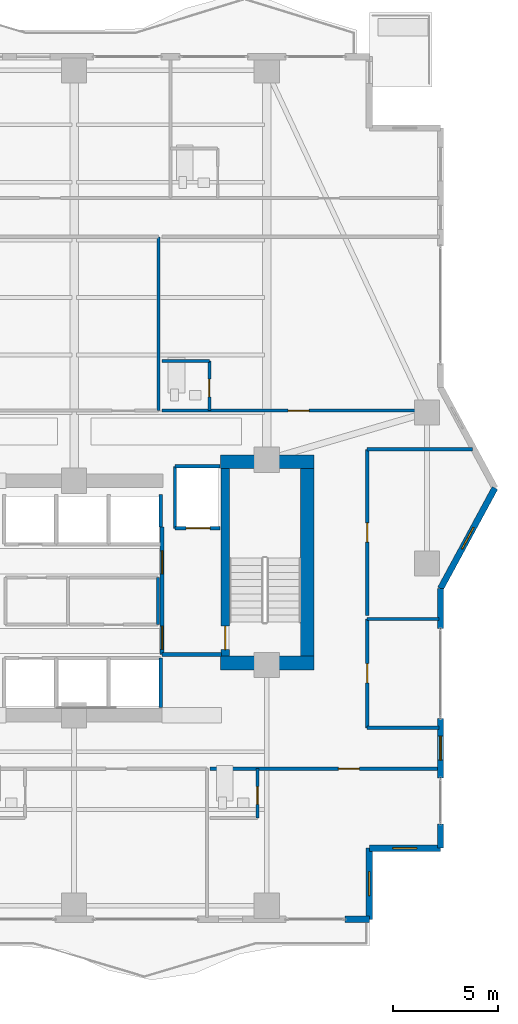
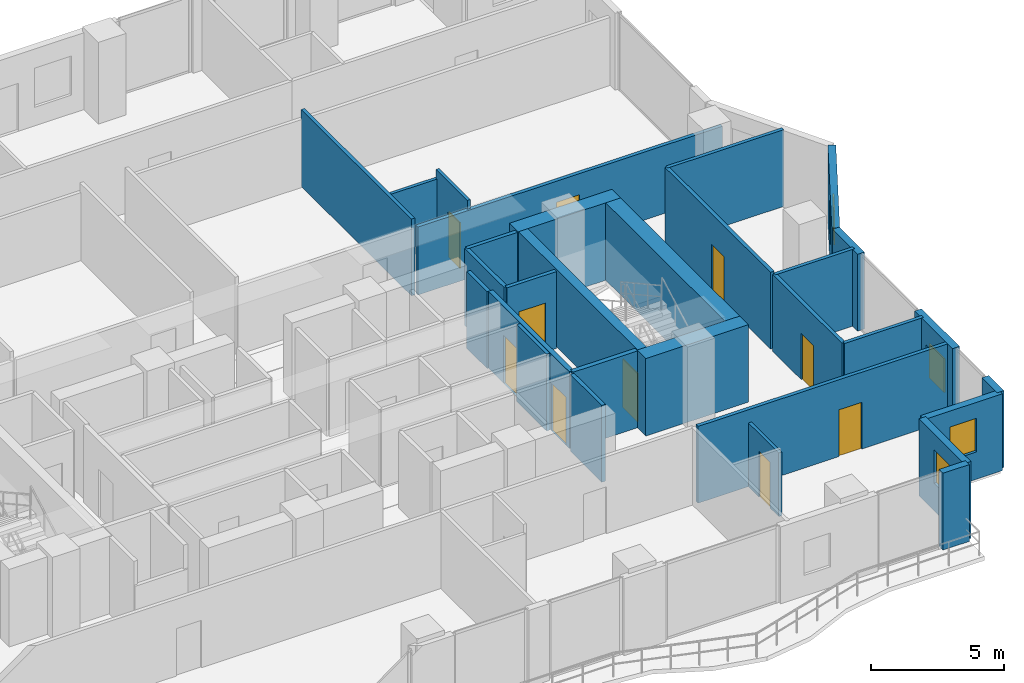
# One storey, part 27 of 33: 30 walls, 10 doors, 4 windows, 14 openings.
"""IFC4 building model written with IfcOpenShell, lengths in metres."""

from ifc_helpers import new_model, si_unit, direction, frame, frame_2d, origin, place, context, subcontext, project, spatial, rectangle, extrude, material, layer, layer_set, type_object, element, fill, save


model = new_model("IFC4")

# Units and contexts
model_context = context("Model", 3, precision=1e-05, world=origin(), true_north=direction((0.0, 1.0)))
body_context = subcontext(model_context, "Body", "Model", "MODEL_VIEW")
ifc_project = project(units=[si_unit("LENGTHUNIT", "METRE"), si_unit("AREAUNIT", "SQUARE_METRE"), si_unit("VOLUMEUNIT", "CUBIC_METRE"), si_unit("PLANEANGLEUNIT", "RADIAN"), si_unit("MASSUNIT", "GRAM", prefix="KILO")], contexts=[model_context])

# Site, building, storey
site_placement = place(None, origin())
site = spatial("IfcSite", under=ifc_project, at=site_placement, CompositionType="ELEMENT")
building_placement = place(site_placement, origin())
building = spatial("IfcBuilding", under=site, at=building_placement, Name="Zuhayl Quay Hotel", CompositionType="ELEMENT")
storey_placement = place(building_placement, frame((0.0, 0.0, 214.89990234375)))
storey = spatial("IfcBuildingStorey", under=building, at=storey_placement, Name="L54", CompositionType="ELEMENT", Elevation=214.89990234375)

# Walls
ifc_material_1 = material(Name="Concrete C50/60", Category="concrete")
ifc_layer_1 = layer(ifc_material_1, 0.64990234375, Name="Concrete C50/60", Category="concrete")
ifc_layer_set_1 = layer_set([ifc_layer_1], Name="Concrete C50/60")
wall_type_1 = type_object("IfcWallType", Name="WL_CORE_650", PredefinedType="SHEAR", material=ifc_layer_set_1)
wall_1_placement = place(storey_placement, frame((11.60009765625, 14.2548828125, 0.0), z_axis=(0.0, 0.0, 1.0), x_axis=(1.0, 0.0, 0.0)))
element("IfcWall", 1, at=wall_1_placement, inside=storey, type_object=wall_type_1, Name="L54 Core Shear Wall CW_NE", PredefinedType="SHEAR", context=body_context, shape_type="SweptSolid", body=[
    extrude(rectangle(XDim=4.4599609375, YDim=0.64990234375, at=frame_2d((2.22998046875, 0.0))), origin(), (0.0, 0.0, 1.0), 3.56005859375),
])
wall_2_placement = place(storey_placement, frame((15.735107421875, 4.969970703125, 0.0), z_axis=(0.0, 0.0, 1.0), x_axis=(0.0, 1.0, 0.0)))
element("IfcWall", 2, at=wall_2_placement, inside=storey, type_object=wall_type_1, Name="L54 Core Shear Wall CW_E", PredefinedType="SHEAR", context=body_context, shape_type="SweptSolid", body=[
    extrude(rectangle(XDim=8.9599609375, YDim=0.64990234375, at=frame_2d((4.47998046875, 0.0))), origin(), (0.0, 0.0, 1.0), 3.56005859375),
])
wall_3_placement = place(storey_placement, frame((11.60009765625, 4.64501953125, 0.0), z_axis=(0.0, 0.0, 1.0), x_axis=(1.0, 0.0, 0.0)))
element("IfcWall", 3, at=wall_3_placement, inside=storey, type_object=wall_type_1, Name="L54 Core Shear Wall CW_SE", PredefinedType="SHEAR", context=body_context, shape_type="SweptSolid", body=[
    extrude(rectangle(XDim=4.4599609375, YDim=0.64990234375, at=frame_2d((2.22998046875, 0.0))), origin(), (0.0, 0.0, 1.0), 3.56005859375),
])

# Wall, opening, window
ifc_material_2 = material(Name="Precast concrete C45/55", Category="concrete")
ifc_layer_2 = layer(ifc_material_2, 0.300048828125, Name="Precast concrete C45/55", Category="concrete")
ifc_layer_set_2 = layer_set([ifc_layer_2], Name="Precast concrete C45/55")
wall_type_2 = type_object("IfcWallType", Name="WL_EXT_300", PredefinedType="STANDARD", material=ifc_layer_set_2)
wall_4_placement = place(storey_placement, frame((24.699951171875, 13.0, 0.0), z_axis=(0.0, 0.0, 1.0), x_axis=(-0.476258655584, -0.879305233114, 0.0)))
wall_4 = element("IfcWall", 4, at=wall_4_placement, inside=storey, type_object=wall_type_2, Name="L54 Exterior Precast Wall ENV_L54_EW13", PredefinedType="STANDARD", context=body_context, shape_type="SweptSolid", body=[
    extrude(rectangle(XDim=5.458984375, YDim=0.300048828125, at=frame_2d((2.7294921875, 0.0))), origin(), (0.0, 0.0, 1.0), 3.530029296875),
])
opening_1_placement = place(wall_4_placement, frame((2.154541015625, 0.0, 1.25)))
opening_1 = element("IfcOpeningElement", 5, at=opening_1_placement, cuts=wall_4, Name="Opening W01N", PredefinedType="OPENING", context=body_context, shape_type="SweptSolid", body=[
    extrude(rectangle(XDim=1.14990234375, YDim=1.550048828125, at=frame_2d((0.574951171875, 0.77490234375))), frame((0.0, 0.159912109375, 0.0), z_axis=(0.0, -1.0, 0.0), x_axis=(1.0, 0.0, 0.0)), (0.0, 0.0, 1.0), 0.320068359375),
])
ifc_material_3 = material(Name="Dark Ceramic-Fritted Solar Glass", Category="glass")
window_type = type_object("IfcWindowType", Name="WN_NOTCH_1350", PartitioningType="SINGLE_PANEL", PredefinedType="WINDOW", material=ifc_material_3)
window_1_placement = place(opening_1_placement, origin())
window_1 = element("IfcWindow", 6, at=window_1_placement, inside=storey, type_object=window_type, Name="L54 Corner Notch Window 13", OverallHeight=1.550048828125, OverallWidth=1.14990234375, PartitioningType="SINGLE_PANEL", PredefinedType="WINDOW", context=body_context, shape_type="SweptSolid", body=[
    extrude(rectangle(XDim=1.14990234375, YDim=1.550048828125, at=frame_2d((0.574951171875, 0.77490234375))), frame((0.0, 0.030029296875, 0.0), z_axis=(0.0, -1.0, 0.0), x_axis=(1.0, 0.0, 0.0)), (0.0, 0.0, 1.0), 0.06005859375),
])
fill(opening_1, window_1)

# Wall
wall_5_placement = place(storey_placement, frame((22.10009765625, 8.199951171875, 0.0), z_axis=(0.0, 0.0, 1.0), x_axis=(0.0, -1.0, 0.0)))
element("IfcWall", 7, at=wall_5_placement, inside=storey, type_object=wall_type_2, Name="L54 Exterior Precast Wall ENV_L54_E14_EW1", PredefinedType="STANDARD", context=body_context, shape_type="SweptSolid", body=[
    extrude(rectangle(XDim=1.89990234375, YDim=0.300048828125, at=frame_2d((0.949951171875, 0.0))), origin(), (0.0, 0.0, 1.0), 3.530029296875),
])

# Wall, opening, window
wall_6_placement = place(storey_placement, frame((22.10009765625, 2.0, 0.0), z_axis=(0.0, 0.0, 1.0), x_axis=(0.0, -1.0, 0.0)))
wall_6 = element("IfcWall", 8, at=wall_6_placement, inside=storey, type_object=wall_type_2, Name="L54 Exterior Precast Wall ENV_L54_E14_EW2", PredefinedType="STANDARD", context=body_context, shape_type="SweptSolid", body=[
    extrude(rectangle(XDim=2.85009765625, YDim=0.300048828125, at=frame_2d((1.425048828125, 0.0))), origin(), (0.0, 0.0, 1.0), 3.530029296875),
])
opening_2_placement = place(wall_6_placement, frame((0.85009765625, 0.0, 0.949951171875)))
opening_2 = element("IfcOpeningElement", 9, at=opening_2_placement, cuts=wall_6, Name="Opening W01N", PredefinedType="OPENING", context=body_context, shape_type="SweptSolid", body=[
    extrude(rectangle(XDim=1.14990234375, YDim=1.550048828125, at=frame_2d((0.574951171875, 0.77490234375))), frame((0.0, 0.159912109375, 0.0), z_axis=(0.0, -1.0, 0.0), x_axis=(1.0, 0.0, 0.0)), (0.0, 0.0, 1.0), 0.320068359375),
])
window_2_placement = place(opening_2_placement, origin())
window_2 = element("IfcWindow", 10, at=window_2_placement, inside=storey, type_object=window_type, Name="L54 Operable Facade Window 2-1", OverallHeight=1.550048828125, OverallWidth=1.14990234375, PartitioningType="SINGLE_PANEL", PredefinedType="WINDOW", context=body_context, shape_type="SweptSolid", body=[
    extrude(rectangle(XDim=1.14990234375, YDim=1.550048828125, at=frame_2d((0.574951171875, 0.77490234375))), frame((0.0, 0.030029296875, 0.0), z_axis=(0.0, -1.0, 0.0), x_axis=(1.0, 0.0, 0.0)), (0.0, 0.0, 1.0), 0.06005859375),
])
fill(opening_2, window_2)

# Wall
wall_7_placement = place(storey_placement, frame((22.10009765625, -3.050048828125, 0.0), z_axis=(0.0, 0.0, 1.0), x_axis=(0.0, -1.0, 0.0)))
element("IfcWall", 11, at=wall_7_placement, inside=storey, type_object=wall_type_2, Name="L54 Exterior Precast Wall ENV_L54_E14_EW3", PredefinedType="STANDARD", context=body_context, shape_type="SweptSolid", body=[
    extrude(rectangle(XDim=1.14990234375, YDim=0.300048828125, at=frame_2d((0.574951171875, 0.0))), origin(), (0.0, 0.0, 1.0), 3.530029296875),
])

# Wall, opening, window
wall_8_placement = place(storey_placement, frame((22.10009765625, -4.199951171875, 0.0), z_axis=(0.0, 0.0, 1.0), x_axis=(-1.0, 0.0, 0.0)))
wall_8 = element("IfcWall", 12, at=wall_8_placement, inside=storey, type_object=wall_type_2, Name="L54 Exterior Precast Wall ENV_L54_EW15", PredefinedType="STANDARD", context=body_context, shape_type="SweptSolid", body=[
    extrude(rectangle(XDim=3.400146484375, YDim=0.300048828125, at=frame_2d((1.7001953125, 0.0))), origin(), (0.0, 0.0, 1.0), 3.530029296875),
])
opening_3_placement = place(wall_8_placement, frame((1.125, 0.0, 1.25)))
opening_3 = element("IfcOpeningElement", 13, at=opening_3_placement, cuts=wall_8, Name="Opening W01N", PredefinedType="OPENING", context=body_context, shape_type="SweptSolid", body=[
    extrude(rectangle(XDim=1.14990234375, YDim=1.550048828125, at=frame_2d((0.574951171875, 0.77490234375))), frame((0.0, 0.159912109375, 0.0), z_axis=(0.0, -1.0, 0.0), x_axis=(1.0, 0.0, 0.0)), (0.0, 0.0, 1.0), 0.320068359375),
])
window_3_placement = place(opening_3_placement, origin())
window_3 = element("IfcWindow", 14, at=window_3_placement, inside=storey, type_object=window_type, Name="L54 Corner Notch Window 15", OverallHeight=1.550048828125, OverallWidth=1.14990234375, PartitioningType="SINGLE_PANEL", PredefinedType="WINDOW", context=body_context, shape_type="SweptSolid", body=[
    extrude(rectangle(XDim=1.14990234375, YDim=1.550048828125, at=frame_2d((0.574951171875, 0.77490234375))), frame((0.0, 0.030029296875, 0.0), z_axis=(0.0, -1.0, 0.0), x_axis=(1.0, 0.0, 0.0)), (0.0, 0.0, 1.0), 0.06005859375),
])
fill(opening_3, window_3)

wall_9_placement = place(storey_placement, frame((18.699951171875, -4.199951171875, 0.0), z_axis=(0.0, 0.0, 1.0), x_axis=(0.0, -1.0, 0.0)))
wall_9 = element("IfcWall", 15, at=wall_9_placement, inside=storey, type_object=wall_type_2, Name="L54 Exterior Precast Wall ENV_L54_EW16", PredefinedType="STANDARD", context=body_context, shape_type="SweptSolid", body=[
    extrude(rectangle(XDim=3.400146484375, YDim=0.300048828125, at=frame_2d((1.7001953125, 0.0))), origin(), (0.0, 0.0, 1.0), 3.530029296875),
])
opening_4_placement = place(wall_9_placement, frame((1.125, 0.0, 1.25)))
opening_4 = element("IfcOpeningElement", 16, at=opening_4_placement, cuts=wall_9, Name="Opening W01N", PredefinedType="OPENING", context=body_context, shape_type="SweptSolid", body=[
    extrude(rectangle(XDim=1.14990234375, YDim=1.550048828125, at=frame_2d((0.574951171875, 0.77490234375))), frame((0.0, 0.159912109375, 0.0), z_axis=(0.0, -1.0, 0.0), x_axis=(1.0, 0.0, 0.0)), (0.0, 0.0, 1.0), 0.320068359375),
])
window_4_placement = place(opening_4_placement, origin())
window_4 = element("IfcWindow", 17, at=window_4_placement, inside=storey, type_object=window_type, Name="L54 Corner Notch Window 16", OverallHeight=1.550048828125, OverallWidth=1.14990234375, PartitioningType="SINGLE_PANEL", PredefinedType="WINDOW", context=body_context, shape_type="SweptSolid", body=[
    extrude(rectangle(XDim=1.14990234375, YDim=1.550048828125, at=frame_2d((0.574951171875, 0.77490234375))), frame((0.0, 0.030029296875, 0.0), z_axis=(0.0, -1.0, 0.0), x_axis=(1.0, 0.0, 0.0)), (0.0, 0.0, 1.0), 0.06005859375),
])
fill(opening_4, window_4)

# Walls
wall_10_placement = place(storey_placement, frame((18.699951171875, -7.60009765625, 0.0), z_axis=(0.0, 0.0, 1.0), x_axis=(-1.0, 0.0, 0.0)))
element("IfcWall", 18, at=wall_10_placement, inside=storey, type_object=wall_type_2, Name="L54 Exterior Precast Wall ENV_L54_S_EW1", PredefinedType="STANDARD", context=body_context, shape_type="SweptSolid", body=[
    extrude(rectangle(XDim=1.14990234375, YDim=0.300048828125, at=frame_2d((0.574951171875, 0.0))), origin(), (0.0, 0.0, 1.0), 3.530029296875),
])
ifc_material_4 = material(Name="Acoustic Gypsum Partition STC-58")
ifc_layer_3 = layer(ifc_material_4, 0.14990234375, Name="Acoustic Gypsum Partition STC-58")
ifc_layer_set_3 = layer_set([ifc_layer_3], Name="Acoustic Gypsum Partition STC-58")
wall_type_3 = type_object("IfcWallType", Name="WL_PART_150", PredefinedType="PARTITIONING", material=ifc_layer_set_3)
wall_11_placement = place(storey_placement, frame((8.610107421875, 6.47998046875, 0.0), z_axis=(0.0, 0.0, 1.0), x_axis=(0.0, 1.0, 0.0)))
element("IfcWall", 19, at=wall_11_placement, inside=storey, type_object=wall_type_3, Name="L54 Partition IW_L54_CORE_LN_E", PredefinedType="PARTITIONING", context=body_context, shape_type="SweptSolid", body=[
    extrude(rectangle(XDim=2.239990234375, YDim=0.14990234375, at=frame_2d((1.1201171875, 0.0))), origin(), (0.0, 0.0, 1.0), 3.530029296875),
])
wall_12_placement = place(storey_placement, frame((8.639892578125, 16.699951171875, 0.0), z_axis=(0.0, 0.0, 1.0), x_axis=(0.0, 1.0, 0.0)))
element("IfcWall", 20, at=wall_12_placement, inside=storey, type_object=wall_type_3, Name="L54 Partition IW_L54_Z3_MID_E_E", PredefinedType="PARTITIONING", context=body_context, shape_type="SweptSolid", body=[
    extrude(rectangle(XDim=8.300048828125, YDim=0.14990234375, at=frame_2d((4.14990234375, 0.0))), origin(), (0.0, 0.0, 1.0), 3.530029296875),
])
for number, where, z_axis, x_axis, name in (
    (21, (18.60009765625, 1.550048828125, 0.0), (0.0, 0.0, 1.0), (1.0, 0.0, 0.0), "L54 Partition IW_L54_HK_MAIN_S"),
    (22, (18.60009765625, 6.75, 0.0), (0.0, 0.0, 1.0), (1.0, 0.0, 0.0), "L54 Partition IW_L54_HK_MAIN_N"),
):
    element("IfcWall", number, at=place(storey_placement, frame(where, z_axis=z_axis, x_axis=x_axis)), inside=storey, type_object=wall_type_3, Name=name, PredefinedType="PARTITIONING", context=body_context, shape_type="SweptSolid", body=[
        extrude(rectangle(XDim=3.43994140625, YDim=0.14990234375, at=frame_2d((1.719970703125, 0.0))), origin(), (0.0, 0.0, 1.0), 3.530029296875),
    ])
wall_13_placement = place(storey_placement, frame((18.60009765625, 14.85009765625, 0.0), z_axis=(0.0, 0.0, 1.0), x_axis=(1.0, 0.0, 0.0)))
element("IfcWall", 23, at=wall_13_placement, inside=storey, type_object=wall_type_3, Name="L54 Partition IW_L54_EFLK_2_N", PredefinedType="PARTITIONING", context=body_context, shape_type="SweptSolid", body=[
    extrude(rectangle(XDim=5.037841796875, YDim=0.14990234375, at=frame_2d((2.51904296875, 0.0))), origin(), (0.0, 0.0, 1.0), 3.530029296875),
])

# Wall, opening, door
ifc_layer_4 = layer(ifc_material_4, 0.159912109375, Name="Acoustic Gypsum Partition STC-58")
ifc_layer_set_4 = layer_set([ifc_layer_4], Name="Acoustic Gypsum Partition STC-58")
wall_type_4 = type_object("IfcWallType", Name="WL_PART_CORR_160", PredefinedType="PARTITIONING", material=ifc_layer_set_4)
wall_14_placement = place(storey_placement, frame((8.800048828125, 16.699951171875, 0.0), z_axis=(0.0, 0.0, 1.0), x_axis=(1.0, 0.0, 0.0)))
wall_14 = element("IfcWall", 24, at=wall_14_placement, inside=storey, type_object=wall_type_4, Name="L54 Partition IW_L54_MU04_COR", PredefinedType="PARTITIONING", context=body_context, shape_type="SweptSolid", body=[
    extrude(rectangle(XDim=13.239990234375, YDim=0.159912109375, at=frame_2d((6.6201171875, 0.0))), origin(), (0.0, 0.0, 1.0), 3.1240234375),
])
opening_5_placement = place(wall_14_placement, frame((6.02490234375, 0.0, 0.0)))
opening_5 = element("IfcOpeningElement", 25, at=opening_5_placement, cuts=wall_14, Name="Opening D03L", PredefinedType="OPENING", context=body_context, shape_type="SweptSolid", body=[
    extrude(rectangle(XDim=1.0, YDim=2.14990234375, at=frame_2d((0.5, 1.074951171875))), frame((0.0, 0.08984375, 0.0), z_axis=(0.0, -1.0, 0.0), x_axis=(1.0, 0.0, 0.0)), (0.0, 0.0, 1.0), 0.179931640625),
])
ifc_material_5 = material(Name="Solid Walnut Acoustic Fire Door")
door_type_1 = type_object("IfcDoorType", Name="DR_SUITE_1000", OperationType="NOTDEFINED", PredefinedType="DOOR", material=ifc_material_5)
door_1_placement = place(opening_5_placement, origin())
door_1 = element("IfcDoor", 26, at=door_1_placement, inside=storey, type_object=door_type_1, Name="L54 Club Junior Suite L54-M4 Entrance Door", OperationType="SINGLE_SWING_RIGHT", OverallHeight=2.14990234375, OverallWidth=1.0, PredefinedType="DOOR", context=body_context, shape_type="SweptSolid", body=[
    extrude(rectangle(XDim=1.0, YDim=2.14990234375, at=frame_2d((0.5, 1.074951171875))), frame((0.0, 0.02490234375, 0.0), z_axis=(0.0, -1.0, 0.0), x_axis=(1.0, 0.0, 0.0)), (0.0, 0.0, 1.0), 0.050048828125),
])
fill(opening_5, door_1)

wall_15_placement = place(storey_placement, frame((11.10009765625, -0.39990234375, 0.0), z_axis=(0.0, 0.0, 1.0), x_axis=(1.0, 0.0, 0.0)))
wall_15 = element("IfcWall", 27, at=wall_15_placement, inside=storey, type_object=wall_type_4, Name="L54 Partition IW_L54_SU02B_COR", PredefinedType="PARTITIONING", context=body_context, shape_type="SweptSolid", body=[
    extrude(rectangle(XDim=10.93994140625, YDim=0.159912109375, at=frame_2d((5.469970703125, 0.0))), origin(), (0.0, 0.0, 1.0), 3.530029296875),
])
opening_6_placement = place(wall_15_placement, frame((6.1201171875, 0.0, 0.0)))
opening_6 = element("IfcOpeningElement", 28, at=opening_6_placement, cuts=wall_15, Name="Opening D03L", PredefinedType="OPENING", context=body_context, shape_type="SweptSolid", body=[
    extrude(rectangle(XDim=1.0, YDim=2.14990234375, at=frame_2d((0.5, 1.074951171875))), frame((0.0, 0.08984375, 0.0), z_axis=(0.0, -1.0, 0.0), x_axis=(1.0, 0.0, 0.0)), (0.0, 0.0, 1.0), 0.179931640625),
])
door_2_placement = place(opening_6_placement, origin())
door_2 = element("IfcDoor", 29, at=door_2_placement, inside=storey, type_object=door_type_1, Name="L54 City-View Junior Suite L54-02B Entrance Door", OperationType="SINGLE_SWING_LEFT", OverallHeight=2.14990234375, OverallWidth=1.0, PredefinedType="DOOR", context=body_context, shape_type="SweptSolid", body=[
    extrude(rectangle(XDim=1.0, YDim=2.14990234375, at=frame_2d((0.5, 1.074951171875))), frame((0.0, 0.02490234375, 0.0), z_axis=(0.0, -1.0, 0.0), x_axis=(1.0, 0.0, 0.0)), (0.0, 0.0, 1.0), 0.050048828125),
])
fill(opening_6, door_2)

wall_16_placement = place(storey_placement, frame((18.60009765625, 1.550048828125, 0.0), z_axis=(0.0, 0.0, 1.0), x_axis=(0.0, 1.0, 0.0)))
wall_16 = element("IfcWall", 30, at=wall_16_placement, inside=storey, type_object=wall_type_4, Name="L54 Partition IW_L54_HK_MAIN_W", PredefinedType="PARTITIONING", context=body_context, shape_type="SweptSolid", body=[
    extrude(rectangle(XDim=5.199951171875, YDim=0.159912109375, at=frame_2d((2.60009765625, 0.0))), origin(), (0.0, 0.0, 1.0), 3.530029296875),
])
opening_7_placement = place(wall_16_placement, frame((2.139892578125, 0.0, 0.0)))
opening_7 = element("IfcOpeningElement", 31, at=opening_7_placement, cuts=wall_16, Name="Opening D05", PredefinedType="OPENING", context=body_context, shape_type="SweptSolid", body=[
    extrude(rectangle(XDim=0.919921875, YDim=2.1201171875, at=frame_2d((0.4599609375, 1.06005859375))), frame((0.0, 0.08984375, 0.0), z_axis=(0.0, -1.0, 0.0), x_axis=(1.0, 0.0, 0.0)), (0.0, 0.0, 1.0), 0.179931640625),
])
door_type_2 = type_object("IfcDoorType", Name="DR_INT_950", OperationType="NOTDEFINED", PredefinedType="DOOR", material=ifc_material_5)
door_3_placement = place(opening_7_placement, origin())
door_3 = element("IfcDoor", 32, at=door_3_placement, inside=storey, type_object=door_type_2, Name="L54 Housekeeping and Linen Room Door", OperationType="SINGLE_SWING_RIGHT", OverallHeight=2.1201171875, OverallWidth=0.919921875, PredefinedType="DOOR", context=body_context, shape_type="SweptSolid", body=[
    extrude(rectangle(XDim=0.919921875, YDim=2.1201171875, at=frame_2d((0.4599609375, 1.06005859375))), frame((0.0, 0.02490234375, 0.0), z_axis=(0.0, -1.0, 0.0), x_axis=(1.0, 0.0, 0.0)), (0.0, 0.0, 1.0), 0.050048828125),
])
fill(opening_7, door_3)

wall_17_placement = place(storey_placement, frame((18.60009765625, 6.909912109375, 0.0), z_axis=(0.0, 0.0, 1.0), x_axis=(0.0, 1.0, 0.0)))
wall_17 = element("IfcWall", 33, at=wall_17_placement, inside=storey, type_object=wall_type_4, Name="L54 Partition IW_L54_EFLK_2_W", PredefinedType="PARTITIONING", context=body_context, shape_type="SweptSolid", body=[
    extrude(rectangle(XDim=7.940185546875, YDim=0.159912109375, at=frame_2d((3.97021484375, 0.0))), origin(), (0.0, 0.0, 1.0), 3.530029296875),
])
opening_8_placement = place(wall_17_placement, frame((3.510009765625, 0.0, 0.0)))
opening_8 = element("IfcOpeningElement", 34, at=opening_8_placement, cuts=wall_17, Name="Opening D05", PredefinedType="OPENING", context=body_context, shape_type="SweptSolid", body=[
    extrude(rectangle(XDim=0.919921875, YDim=2.1201171875, at=frame_2d((0.4599609375, 1.06005859375))), frame((0.0, 0.08984375, 0.0), z_axis=(0.0, -1.0, 0.0), x_axis=(1.0, 0.0, 0.0)), (0.0, 0.0, 1.0), 0.179931640625),
])
door_4_placement = place(opening_8_placement, origin())
door_4 = element("IfcDoor", 35, at=door_4_placement, inside=storey, type_object=door_type_2, Name="L54 East Prow Reading Lounge L54 Door", OperationType="SINGLE_SWING_LEFT", OverallHeight=2.1201171875, OverallWidth=0.919921875, PredefinedType="DOOR", context=body_context, shape_type="SweptSolid", body=[
    extrude(rectangle(XDim=0.919921875, YDim=2.1201171875, at=frame_2d((0.4599609375, 1.06005859375))), frame((0.0, 0.02490234375, 0.0), z_axis=(0.0, -1.0, 0.0), x_axis=(1.0, 0.0, 0.0)), (0.0, 0.0, 1.0), 0.050048828125),
])
fill(opening_8, door_4)

ifc_material_6 = material(Name="Moisture-Resistant Sanitarychase Gypsum")
ifc_layer_5 = layer(ifc_material_6, 0.135009765625, Name="Moisture-Resistant Sanitarychase Gypsum")
ifc_layer_set_5 = layer_set([ifc_layer_5], Name="Moisture-Resistant Sanitarychase Gypsum")
wall_type_5 = type_object("IfcWallType", Name="WL_PART_PLUMB_150", PredefinedType="PLUMBINGWALL", material=ifc_layer_set_5)
wall_18_placement = place(storey_placement, frame((11.06005859375, 16.699951171875, 0.0), z_axis=(0.0, 0.0, 1.0), x_axis=(0.0, 1.0, 0.0)))
wall_18 = element("IfcWall", 36, at=wall_18_placement, inside=storey, type_object=wall_type_5, Name="L54 Partition IW_L54_MU04_BE", PredefinedType="PLUMBINGWALL", context=body_context, shape_type="SweptSolid", body=[
    extrude(rectangle(XDim=2.360107421875, YDim=0.135009765625, at=frame_2d((1.18017578125, 0.0))), origin(), (0.0, 0.0, 1.0), 3.530029296875),
])
opening_9_placement = place(wall_18_placement, frame((0.64990234375, 0.0, 0.0)))
opening_9 = element("IfcOpeningElement", 37, at=opening_9_placement, cuts=wall_18, Name="Opening D04", PredefinedType="OPENING", context=body_context, shape_type="SweptSolid", body=[
    extrude(rectangle(XDim=0.85009765625, YDim=2.10009765625, at=frame_2d((0.425048828125, 1.050048828125))), frame((0.0, 0.077392578125, 0.0), z_axis=(0.0, -1.0, 0.0), x_axis=(1.0, 0.0, 0.0)), (0.0, 0.0, 1.0), 0.155029296875),
])
ifc_material_7 = material(Name="Moisture-Resistant Walnut Veneer")
door_type_3 = type_object("IfcDoorType", Name="DR_BATH_850", OperationType="NOTDEFINED", PredefinedType="DOOR", material=ifc_material_7)
door_5_placement = place(opening_9_placement, origin())
door_5 = element("IfcDoor", 38, at=door_5_placement, inside=storey, type_object=door_type_3, Name="L54 Club Junior Suite L54-M4 En-Suite Door", OperationType="SINGLE_SWING_LEFT", OverallHeight=2.10009765625, OverallWidth=0.85009765625, PredefinedType="DOOR", context=body_context, shape_type="SweptSolid", body=[
    extrude(rectangle(XDim=0.85009765625, YDim=2.10009765625, at=frame_2d((0.425048828125, 1.050048828125))), frame((0.0, 0.02490234375, 0.0), z_axis=(0.0, -1.0, 0.0), x_axis=(1.0, 0.0, 0.0)), (0.0, 0.0, 1.0), 0.050048828125),
])
fill(opening_9, door_5)

wall_19_placement = place(storey_placement, frame((13.360107421875, -2.760009765625, 0.0), z_axis=(0.0, 0.0, 1.0), x_axis=(0.0, 1.0, 0.0)))
wall_19 = element("IfcWall", 39, at=wall_19_placement, inside=storey, type_object=wall_type_5, Name="L54 Partition IW_L54_SU02B_BE", PredefinedType="PLUMBINGWALL", context=body_context, shape_type="SweptSolid", body=[
    extrude(rectangle(XDim=2.360107421875, YDim=0.135009765625, at=frame_2d((1.18017578125, 0.0))), origin(), (0.0, 0.0, 1.0), 2.923095703125),
])
opening_10_placement = place(wall_19_placement, frame((0.64990234375, 0.0, 0.0)))
opening_10 = element("IfcOpeningElement", 40, at=opening_10_placement, cuts=wall_19, Name="Opening D04", PredefinedType="OPENING", context=body_context, shape_type="SweptSolid", body=[
    extrude(rectangle(XDim=0.85009765625, YDim=2.10009765625, at=frame_2d((0.425048828125, 1.050048828125))), frame((0.0, 0.077392578125, 0.0), z_axis=(0.0, -1.0, 0.0), x_axis=(1.0, 0.0, 0.0)), (0.0, 0.0, 1.0), 0.155029296875),
])
door_6_placement = place(opening_10_placement, origin())
door_6 = element("IfcDoor", 41, at=door_6_placement, inside=storey, type_object=door_type_3, Name="L54 City-View Junior Suite L54-02B En-Suite Door", OperationType="SINGLE_SWING_RIGHT", OverallHeight=2.10009765625, OverallWidth=0.85009765625, PredefinedType="DOOR", context=body_context, shape_type="SweptSolid", body=[
    extrude(rectangle(XDim=0.85009765625, YDim=2.10009765625, at=frame_2d((0.425048828125, 1.050048828125))), frame((0.0, 0.02490234375, 0.0), z_axis=(0.0, -1.0, 0.0), x_axis=(1.0, 0.0, 0.0)), (0.0, 0.0, 1.0), 0.050048828125),
])
fill(opening_10, door_6)

# Wall
wall_20_placement = place(storey_placement, frame((8.800048828125, 19.06005859375, 0.0), z_axis=(0.0, 0.0, 1.0), x_axis=(1.0, 0.0, 0.0)))
element("IfcWall", 42, at=wall_20_placement, inside=storey, type_object=wall_type_5, Name="L54 Partition IW_L54_MU04_BN", PredefinedType="PLUMBINGWALL", context=body_context, shape_type="SweptSolid", body=[
    extrude(rectangle(XDim=2.260009765625, YDim=0.135009765625, at=frame_2d((1.1298828125, 0.0))), origin(), (0.0, 0.0, 1.0), 3.1240234375),
])

# Wall, opening, door
ifc_material_8 = material(Name="Gypsum Fireboard Assembly EI-90")
ifc_layer_6 = layer(ifc_material_8, 0.1650390625, Name="Gypsum Fireboard Assembly EI-90")
ifc_layer_set_6 = layer_set([ifc_layer_6], Name="Gypsum Fireboard Assembly EI-90")
wall_type_6 = type_object("IfcWallType", Name="WL_PART_SHAFT_160", PredefinedType="PARTITIONING", material=ifc_layer_set_6)
wall_21_placement = place(storey_placement, frame((9.419921875, 11.070068359375, 0.0), z_axis=(0.0, 0.0, 1.0), x_axis=(1.0, 0.0, 0.0)))
wall_21 = element("IfcWall", 43, at=wall_21_placement, inside=storey, type_object=wall_type_6, Name="L54 Partition IW_L54_SH_FL2_F", PredefinedType="PARTITIONING", context=body_context, shape_type="SweptSolid", body=[
    extrude(rectangle(XDim=2.16015625, YDim=0.1650390625, at=frame_2d((1.080078125, 0.0))), origin(), (0.0, 0.0, 1.0), 3.530029296875),
])
opening_11_placement = place(wall_21_placement, frame((0.530029296875, 0.0, 0.0)))
opening_11 = element("IfcOpeningElement", 44, at=opening_11_placement, cuts=wall_21, Name="Opening LD2", PredefinedType="OPENING", context=body_context, shape_type="SweptSolid", body=[
    extrude(rectangle(XDim=1.14990234375, YDim=2.25, at=frame_2d((0.574951171875, 1.125))), frame((0.0, 0.092529296875, 0.0), z_axis=(0.0, -1.0, 0.0), x_axis=(1.0, 0.0, 0.0)), (0.0, 0.0, 1.0), 0.18505859375),
])
ifc_material_9 = material(Name="Brushed Stainless Steel", Category="steel")
door_type_4 = type_object("IfcDoorType", Name="DR_LIFT_FF_1100", OperationType="SLIDING_TO_LEFT", PredefinedType="DOOR", material=ifc_material_9)
door_7_placement = place(opening_11_placement, origin())
door_7 = element("IfcDoor", 45, at=door_7_placement, inside=storey, type_object=door_type_4, Name="L54 Lift FL2 Sliding Landing Door", OperationType="SLIDING_TO_LEFT", OverallHeight=2.25, OverallWidth=1.14990234375, PredefinedType="DOOR", context=body_context, shape_type="SweptSolid", body=[
    extrude(rectangle(XDim=1.14990234375, YDim=2.25, at=frame_2d((0.574951171875, 1.125))), frame((0.0, 0.02490234375, 0.0), z_axis=(0.0, -1.0, 0.0), x_axis=(1.0, 0.0, 0.0)), (0.0, 0.0, 1.0), 0.050048828125),
])
fill(opening_11, door_7)

# Walls
wall_22_placement = place(storey_placement, frame((9.419921875, 11.070068359375, 0.0), z_axis=(0.0, 0.0, 1.0), x_axis=(0.0, 1.0, 0.0)))
element("IfcWall", 46, at=wall_22_placement, inside=storey, type_object=wall_type_6, Name="L54 Partition IW_L54_SH_FL2_W", PredefinedType="PARTITIONING", context=body_context, shape_type="SweptSolid", body=[
    extrude(rectangle(XDim=2.9599609375, YDim=0.1650390625, at=frame_2d((1.47998046875, 0.0))), origin(), (0.0, 0.0, 1.0), 3.530029296875),
])
wall_23_placement = place(storey_placement, frame((9.419921875, 14.030029296875, 0.0), z_axis=(0.0, 0.0, 1.0), x_axis=(1.0, 0.0, 0.0)))
element("IfcWall", 47, at=wall_23_placement, inside=storey, type_object=wall_type_6, Name="L54 Partition IW_L54_SH_FL2_B", PredefinedType="PARTITIONING", context=body_context, shape_type="SweptSolid", body=[
    extrude(rectangle(XDim=2.16015625, YDim=0.1650390625, at=frame_2d((1.080078125, 0.0))), origin(), (0.0, 0.0, 1.0), 3.530029296875),
])
wall_24_placement = place(storey_placement, frame((8.72998046875, 2.52001953125, 0.0), z_axis=(0.0, 0.0, 1.0), x_axis=(0.0, 1.0, 0.0)))
element("IfcWall", 48, at=wall_24_placement, inside=storey, type_object=wall_type_6, Name="L54 Partition IW_L54_SH_HP2_E", PredefinedType="PARTITIONING", context=body_context, shape_type="SweptSolid", body=[
    extrude(rectangle(XDim=2.35986328125, YDim=0.1650390625, at=frame_2d((1.179931640625, 0.0))), origin(), (0.0, 0.0, 1.0), 3.530029296875),
])
wall_25_placement = place(storey_placement, frame((8.72998046875, 11.14990234375, 0.0), z_axis=(0.0, 0.0, 1.0), x_axis=(0.0, 1.0, 0.0)))
element("IfcWall", 49, at=wall_25_placement, inside=storey, type_object=wall_type_6, Name="L54 Partition IW_L54_SH_HP4_E", PredefinedType="PARTITIONING", context=body_context, shape_type="SweptSolid", body=[
    extrude(rectangle(XDim=1.530029296875, YDim=0.1650390625, at=frame_2d((0.76513671875, 0.0))), origin(), (0.0, 0.0, 1.0), 3.530029296875),
])

# Wall, openings, doors
ifc_material_10 = material(Name="Gypsum Fireboard Assembly EI-120")
ifc_layer_7 = layer(ifc_material_10, 0.199951171875, Name="Gypsum Fireboard Assembly EI-120")
ifc_layer_set_7 = layer_set([ifc_layer_7], Name="Gypsum Fireboard Assembly EI-120")
wall_type_7 = type_object("IfcWallType", Name="WL_PART_SHAFT_200", PredefinedType="PARTITIONING", material=ifc_layer_set_7)
wall_26_placement = place(storey_placement, frame((8.800048828125, 11.14990234375, 0.0), z_axis=(0.0, 0.0, 1.0), x_axis=(0.0, -1.0, 0.0)))
wall_26 = element("IfcWall", 50, at=wall_26_placement, inside=storey, type_object=wall_type_7, Name="L54 Partition IW_L54_FSAE_E_W", PredefinedType="PARTITIONING", context=body_context, shape_type="SweptSolid", body=[
    extrude(rectangle(XDim=6.099853515625, YDim=0.199951171875, at=frame_2d((3.0498046875, 0.0))), origin(), (0.0, 0.0, 1.0), 3.530029296875),
])
opening_12_placement = place(wall_26_placement, frame((1.14990234375, 0.0, 0.0)))
opening_12 = element("IfcOpeningElement", 51, at=opening_12_placement, cuts=wall_26, Name="Opening D02", PredefinedType="OPENING", context=body_context, shape_type="SweptSolid", body=[
    extrude(rectangle(XDim=1.10009765625, YDim=2.199951171875, at=frame_2d((0.550048828125, 1.10009765625))), frame((0.0, 0.10986328125, 0.0), z_axis=(0.0, -1.0, 0.0), x_axis=(1.0, 0.0, 0.0)), (0.0, 0.0, 1.0), 0.219970703125),
])
opening_13_placement = place(wall_26_placement, frame((4.75, 0.0, 0.0)))
opening_13 = element("IfcOpeningElement", 52, at=opening_13_placement, cuts=wall_26, Name="Opening D02", PredefinedType="OPENING", context=body_context, shape_type="SweptSolid", body=[
    extrude(rectangle(XDim=1.10009765625, YDim=2.199951171875, at=frame_2d((0.550048828125, 1.10009765625))), frame((0.0, 0.10986328125, 0.0), z_axis=(0.0, -1.0, 0.0), x_axis=(1.0, 0.0, 0.0)), (0.0, 0.0, 1.0), 0.219970703125),
])
ifc_material_11 = material(Name="Steel ASTM A992 Grade 50", Category="steel")
door_type_5 = type_object("IfcDoorType", Name="DR_FIRE_90_1100", OperationType="NOTDEFINED", PredefinedType="DOOR", material=ifc_material_11)
door_8_placement = place(opening_12_placement, origin())
door_8 = element("IfcDoor", 53, at=door_8_placement, inside=storey, type_object=door_type_5, Name="L54 FSAE Lobby East North Entry Door", OperationType="SINGLE_SWING_RIGHT", OverallHeight=2.199951171875, OverallWidth=1.10009765625, PredefinedType="DOOR", context=body_context, shape_type="SweptSolid", body=[
    extrude(rectangle(XDim=1.10009765625, YDim=2.199951171875, at=frame_2d((0.550048828125, 1.10009765625))), frame((0.0, 0.02490234375, 0.0), z_axis=(0.0, -1.0, 0.0), x_axis=(1.0, 0.0, 0.0)), (0.0, 0.0, 1.0), 0.050048828125),
])
fill(opening_12, door_8)
door_9_placement = place(opening_13_placement, origin())
door_9 = element("IfcDoor", 54, at=door_9_placement, inside=storey, type_object=door_type_5, Name="L54 FSAE Lobby East South Entry Door", OperationType="SINGLE_SWING_LEFT", OverallHeight=2.199951171875, OverallWidth=1.10009765625, PredefinedType="DOOR", context=body_context, shape_type="SweptSolid", body=[
    extrude(rectangle(XDim=1.10009765625, YDim=2.199951171875, at=frame_2d((0.550048828125, 1.10009765625))), frame((0.0, 0.02490234375, 0.0), z_axis=(0.0, -1.0, 0.0), x_axis=(1.0, 0.0, 0.0)), (0.0, 0.0, 1.0), 0.050048828125),
])
fill(opening_13, door_9)

# Wall
wall_27_placement = place(storey_placement, frame((8.800048828125, 5.050048828125, 0.0), z_axis=(0.0, 0.0, 1.0), x_axis=(1.0, 0.0, 0.0)))
element("IfcWall", 55, at=wall_27_placement, inside=storey, type_object=wall_type_7, Name="L54 Partition IW_L54_FSAE_E_S", PredefinedType="PARTITIONING", context=body_context, shape_type="SweptSolid", body=[
    extrude(rectangle(XDim=2.849853515625, YDim=0.199951171875, at=frame_2d((1.4248046875, 0.0))), origin(), (0.0, 0.0, 1.0), 3.530029296875),
])

# Wall, opening, door
ifc_material_12 = material(Name="Concrete C60/75", Category="concrete")
ifc_layer_8 = layer(ifc_material_12, 0.39990234375, Name="Concrete C60/75", Category="concrete")
ifc_layer_set_8 = layer_set([ifc_layer_8], Name="Concrete C60/75")
wall_type_8 = type_object("IfcWallType", Name="WL_STAIR_400", PredefinedType="SHEAR", material=ifc_layer_set_8)
wall_28_placement = place(storey_placement, frame((11.820068359375, 13.929931640625, 0.0), z_axis=(0.0, 0.0, 1.0), x_axis=(0.0, -1.0, 0.0)))
wall_28 = element("IfcWall", 56, at=wall_28_placement, inside=storey, type_object=wall_type_8, Name="L54 Core Shear Wall SW_ST2", PredefinedType="SHEAR", context=body_context, shape_type="SweptSolid", body=[
    extrude(rectangle(XDim=8.9599609375, YDim=0.39990234375, at=frame_2d((4.47998046875, 0.0))), origin(), (0.0, 0.0, 1.0), 3.56005859375),
])
opening_14_placement = place(wall_28_placement, frame((7.530029296875, 0.0, 0.0)))
opening_14 = element("IfcOpeningElement", 57, at=opening_14_placement, cuts=wall_28, Name="Opening D01", PredefinedType="OPENING", context=body_context, shape_type="SweptSolid", body=[
    extrude(rectangle(XDim=1.1201171875, YDim=2.219970703125, at=frame_2d((0.56005859375, 1.10986328125))), frame((0.0, 0.2099609375, 0.0), z_axis=(0.0, -1.0, 0.0), x_axis=(1.0, 0.0, 0.0)), (0.0, 0.0, 1.0), 0.419921875),
])
door_type_6 = type_object("IfcDoorType", Name="DR_STAIR_90_1100", OperationType="NOTDEFINED", PredefinedType="DOOR", material=ifc_material_11)
door_10_placement = place(opening_14_placement, origin())
door_10 = element("IfcDoor", 58, at=door_10_placement, inside=storey, type_object=door_type_6, Name="L54 Smokeproof Exit Stair ST2 Door", OperationType="SINGLE_SWING_RIGHT", OverallHeight=2.219970703125, OverallWidth=1.1201171875, PredefinedType="DOOR", context=body_context, shape_type="SweptSolid", body=[
    extrude(rectangle(XDim=1.1201171875, YDim=2.219970703125, at=frame_2d((0.56005859375, 1.10986328125))), frame((0.0, 0.02490234375, 0.0), z_axis=(0.0, -1.0, 0.0), x_axis=(1.0, 0.0, 0.0)), (0.0, 0.0, 1.0), 0.050048828125),
])
fill(opening_14, door_10)

save(model, "model.ifc")
